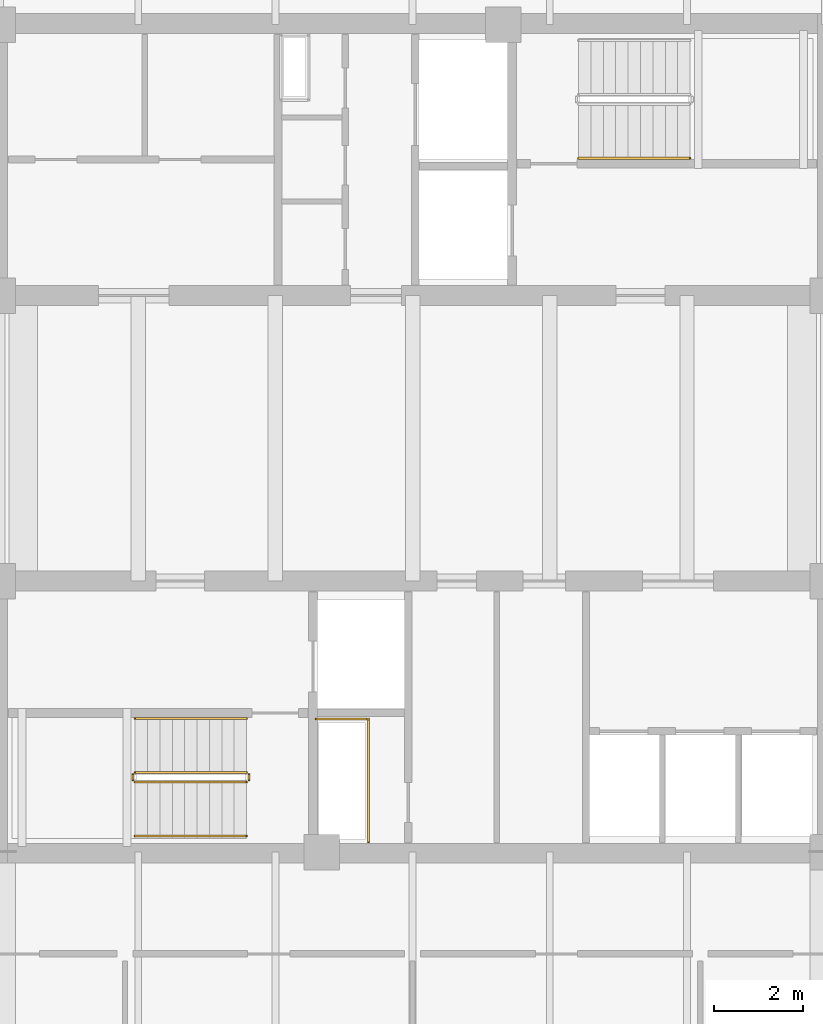
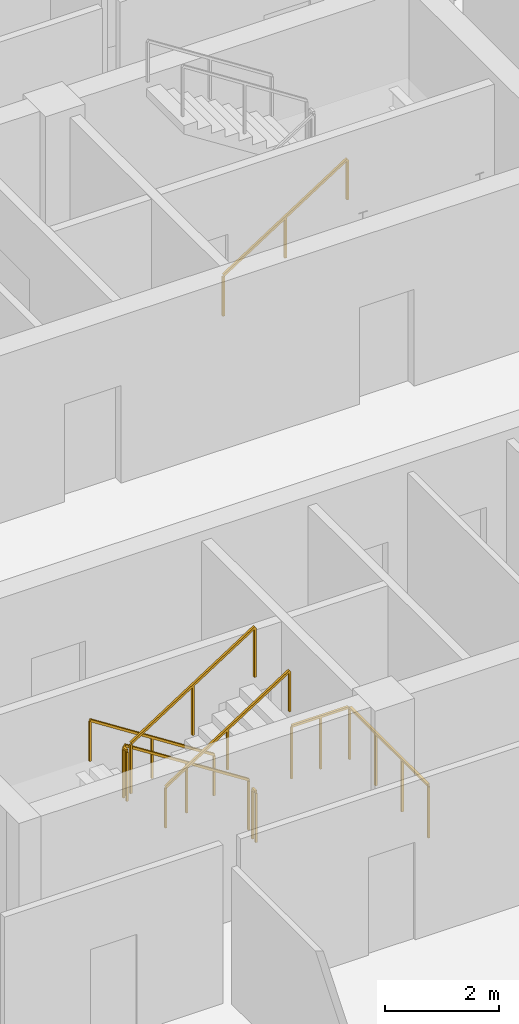
# One storey, part 17 of 20: 8 railings.
"""IFC4 building model written with IfcOpenShell, lengths in metres."""

from ifc_helpers import new_model, si_unit, direction, frame, origin, origin_2d, place, context, subcontext, project, spatial, rectangle, extrude, material, type_object, element, save


model = new_model("IFC4")

# Units and contexts
model_context = context("Model", 3, precision=1e-05, world=origin(), true_north=direction((0.0, 1.0)))
body_context = subcontext(model_context, "Body", "Model", "MODEL_VIEW")
ifc_project = project(units=[si_unit("LENGTHUNIT", "METRE"), si_unit("AREAUNIT", "SQUARE_METRE"), si_unit("VOLUMEUNIT", "CUBIC_METRE"), si_unit("PLANEANGLEUNIT", "RADIAN"), si_unit("MASSUNIT", "GRAM", prefix="KILO")], contexts=[model_context])

# Site, building, storey
site_placement = place(None, origin())
site = spatial("IfcSite", under=ifc_project, at=site_placement, CompositionType="ELEMENT")
building_placement = place(site_placement, origin())
building = spatial("IfcBuilding", under=site, at=building_placement, Name="Qhalaya Broadcast Tower", CompositionType="ELEMENT")
storey_placement = place(building_placement, frame((0.0, 0.0, 273.35009765625)))
storey = spatial("IfcBuildingStorey", under=building, at=storey_placement, Name="L81", CompositionType="ELEMENT", Elevation=273.35009765625)

# Railings
ifc_material = material(Name="Powder-Coated Galvanised Steel", Category="steel")
railing_type_1 = type_object("IfcRailingType", Name="Stair Wall Handrail 900", PredefinedType="HANDRAIL", material=ifc_material)
railing_1_placement = place(storey_placement, frame((3.75, 6.929931640625, 0.179931640625)))
element("IfcRailing", 1, at=railing_1_placement, inside=storey, type_object=railing_type_1, Name="L81 ST-1 Stair Handrail 1", PredefinedType="HANDRAIL", context=body_context, shape_type="SweptSolid", body=[
    extrude(rectangle(XDim=0.048095703125, YDim=0.048095703125, at=origin_2d()), frame((0.0, 0.0, 0.8759765625), z_axis=(0.841199657755, 0.0, 0.540724639528), x_axis=(0.0, 1.0, 0.0)), (0.0, 0.0, 1.0), 2.995849609375),
    extrude(rectangle(XDim=0.0419921875, YDim=0.0419921875, at=origin_2d()), origin(), (0.0, 0.0, 1.0), 0.849853515625),
    extrude(rectangle(XDim=0.0419921875, YDim=0.0419921875, at=origin_2d()), frame((1.260009765625, 0.0, 0.81005859375)), (0.0, 0.0, 1.0), 0.849853515625),
    extrude(rectangle(XDim=0.0419921875, YDim=0.0419921875, at=origin_2d()), frame((2.52001953125, 0.0, 1.619873046875)), (0.0, 0.0, 1.0), 0.849853515625),
])
railing_2_placement = place(storey_placement, frame((-3.75, -5.72998046875, 0.179931640625)))
element("IfcRailing", 2, at=railing_2_placement, inside=storey, type_object=railing_type_1, Name="L81 ST-2 Stair Handrail 1", PredefinedType="HANDRAIL", context=body_context, shape_type="SweptSolid", body=[
    extrude(rectangle(XDim=0.048095703125, YDim=0.048095703125, at=origin_2d()), frame((0.0, 0.0, 0.8759765625), z_axis=(-0.841199657755, 0.0, 0.540724639528), x_axis=(0.0, -1.0, 0.0)), (0.0, 0.0, 1.0), 2.995849609375),
    extrude(rectangle(XDim=0.0419921875, YDim=0.0419921875, at=origin_2d()), origin(), (0.0, 0.0, 1.0), 0.849853515625),
    extrude(rectangle(XDim=0.0419921875, YDim=0.0419921875, at=origin_2d()), frame((-1.260009765625, 0.0, 0.81005859375)), (0.0, 0.0, 1.0), 0.849853515625),
    extrude(rectangle(XDim=0.0419921875, YDim=0.0419921875, at=origin_2d()), frame((-2.52001953125, 0.0, 1.619873046875)), (0.0, 0.0, 1.0), 0.849853515625),
])
railing_3_placement = place(storey_placement, frame((-6.27001953125, -8.389892578125, 1.97998046875)))
element("IfcRailing", 3, at=railing_3_placement, inside=storey, type_object=railing_type_1, Name="L81 ST-2 Stair Handrail 2", PredefinedType="HANDRAIL", context=body_context, shape_type="SweptSolid", body=[
    extrude(rectangle(XDim=0.048095703125, YDim=0.048095703125, at=origin_2d()), frame((0.0, 0.0, 0.8759765625), z_axis=(0.841199657755, 0.0, 0.540724639528), x_axis=(0.0, 1.0, 0.0)), (0.0, 0.0, 1.0), 2.995849609375),
    extrude(rectangle(XDim=0.0419921875, YDim=0.0419921875, at=origin_2d()), origin(), (0.0, 0.0, 1.0), 0.849853515625),
    extrude(rectangle(XDim=0.0419921875, YDim=0.0419921875, at=origin_2d()), frame((1.260009765625, 0.0, 0.81005859375)), (0.0, 0.0, 1.0), 0.849853515625),
    extrude(rectangle(XDim=0.0419921875, YDim=0.0419921875, at=origin_2d()), frame((2.52001953125, 0.0, 1.619873046875)), (0.0, 0.0, 1.0), 0.849853515625),
])
railing_type_2 = type_object("IfcRailingType", Name="Stair Well & Landing Guardrail 1100", PredefinedType="GUARDRAIL", material=ifc_material)
railing_4_placement = place(storey_placement, frame((-1.0, -8.52001953125, 0.0)))
element("IfcRailing", 4, at=railing_4_placement, inside=storey, type_object=railing_type_2, Name="L81 Service Riser Opening Safety Guard SRSR", PredefinedType="GUARDRAIL", context=body_context, shape_type="SweptSolid", body=[
    extrude(rectangle(XDim=0.048095703125, YDim=0.048095703125, at=origin_2d()), frame((0.0, 0.0, 1.1259765625), z_axis=(0.0, 1.0, 0.0), x_axis=(-1.0, 0.0, 0.0)), (0.0, 0.0, 1.0), 2.751220703125),
    extrude(rectangle(XDim=0.048095703125, YDim=0.048095703125, at=origin_2d()), frame((-0.02880859375, 2.780029296875, 1.1259765625), z_axis=(-1.0, 0.0, 0.0), x_axis=(0.0, -1.0, 0.0)), (0.0, 0.0, 1.0), 1.151123046875),
    extrude(rectangle(XDim=0.0419921875, YDim=0.0419921875, at=origin_2d()), origin(), (0.0, 0.0, 1.0), 1.099853515625),
    extrude(rectangle(XDim=0.0419921875, YDim=0.0419921875, at=origin_2d()), frame((0.0, 0.9267578125, 0.0)), (0.0, 0.0, 1.0), 1.099853515625),
    extrude(rectangle(XDim=0.0419921875, YDim=0.0419921875, at=origin_2d()), frame((0.0, 1.853271484375, 0.0)), (0.0, 0.0, 1.0), 1.099853515625),
    extrude(rectangle(XDim=0.0419921875, YDim=0.0419921875, at=origin_2d()), frame((0.0, 2.780029296875, 0.0)), (0.0, 0.0, 1.0), 1.099853515625),
    extrude(rectangle(XDim=0.0419921875, YDim=0.0419921875, at=origin_2d()), frame((-0.58984375, 2.780029296875, 0.0)), (0.0, 0.0, 1.0), 1.099853515625),
    extrude(rectangle(XDim=0.0419921875, YDim=0.0419921875, at=origin_2d()), frame((-1.179931640625, 2.780029296875, 0.0)), (0.0, 0.0, 1.0), 1.099853515625),
])
railing_5_placement = place(storey_placement, frame((-3.75, -6.949951171875, 0.179931640625)))
element("IfcRailing", 5, at=railing_5_placement, inside=storey, type_object=railing_type_2, Name="L81 ST-2 Stair Guard 1", PredefinedType="GUARDRAIL", context=body_context, shape_type="SweptSolid", body=[
    extrude(rectangle(XDim=0.048095703125, YDim=0.048095703125, at=origin_2d()), frame((0.0, 0.0, 1.076171875), z_axis=(-0.841199657755, 0.0, 0.540724639528), x_axis=(0.0, -1.0, 0.0)), (0.0, 0.0, 1.0), 2.995849609375),
    extrude(rectangle(XDim=0.0419921875, YDim=0.0419921875, at=origin_2d()), origin(), (0.0, 0.0, 1.0), 1.050048828125),
    extrude(rectangle(XDim=0.0419921875, YDim=0.0419921875, at=origin_2d()), frame((-1.260009765625, 0.0, 0.81005859375)), (0.0, 0.0, 1.0), 1.050048828125),
    extrude(rectangle(XDim=0.0419921875, YDim=0.0419921875, at=origin_2d()), frame((-2.52001953125, 0.0, 1.619873046875)), (0.0, 0.0, 1.0), 1.050048828125),
])
railing_6_placement = place(storey_placement, frame((-6.320068359375, -7.0, 1.7998046875)))
element("IfcRailing", 6, at=railing_6_placement, inside=storey, type_object=railing_type_2, Name="L81 ST-2 Stair Guard 2", PredefinedType="GUARDRAIL", context=body_context, shape_type="SweptSolid", body=[
    extrude(rectangle(XDim=0.048095703125, YDim=0.048095703125, at=origin_2d()), frame((0.0, 0.0, 1.076171875), z_axis=(0.0, -1.0, 0.0), x_axis=(1.0, 0.0, 0.0)), (0.0, 0.0, 1.0), 0.1201171875),
    extrude(rectangle(XDim=0.0419921875, YDim=0.0419921875, at=origin_2d()), origin(), (0.0, 0.0, 1.0), 1.050048828125),
    extrude(rectangle(XDim=0.0419921875, YDim=0.0419921875, at=origin_2d()), frame((0.0, -0.1201171875, 0.0)), (0.0, 0.0, 1.0), 1.050048828125),
])
railing_7_placement = place(storey_placement, frame((-6.27001953125, -7.169921875, 1.97998046875)))
element("IfcRailing", 7, at=railing_7_placement, inside=storey, type_object=railing_type_2, Name="L81 ST-2 Stair Guard 3", PredefinedType="GUARDRAIL", context=body_context, shape_type="SweptSolid", body=[
    extrude(rectangle(XDim=0.048095703125, YDim=0.048095703125, at=origin_2d()), frame((0.0, 0.0, 1.076171875), z_axis=(0.841199657755, 0.0, 0.540724639528), x_axis=(0.0, 1.0, 0.0)), (0.0, 0.0, 1.0), 2.995849609375),
    extrude(rectangle(XDim=0.0419921875, YDim=0.0419921875, at=origin_2d()), origin(), (0.0, 0.0, 1.0), 1.050048828125),
    extrude(rectangle(XDim=0.0419921875, YDim=0.0419921875, at=origin_2d()), frame((1.260009765625, 0.0, 0.81005859375)), (0.0, 0.0, 1.0), 1.050048828125),
    extrude(rectangle(XDim=0.0419921875, YDim=0.0419921875, at=origin_2d()), frame((2.52001953125, 0.0, 1.619873046875)), (0.0, 0.0, 1.0), 1.050048828125),
])
railing_8_placement = place(storey_placement, frame((-3.699951171875, -7.0, 0.0)))
element("IfcRailing", 8, at=railing_8_placement, inside=storey, type_object=railing_type_2, Name="L81 ST-2 Stair Guard 4", PredefinedType="GUARDRAIL", context=body_context, shape_type="SweptSolid", body=[
    extrude(rectangle(XDim=0.048095703125, YDim=0.048095703125, at=origin_2d()), frame((0.0, 0.0, 1.076171875), z_axis=(0.0, -1.0, 0.0), x_axis=(1.0, 0.0, 0.0)), (0.0, 0.0, 1.0), 0.1201171875),
    extrude(rectangle(XDim=0.0419921875, YDim=0.0419921875, at=origin_2d()), origin(), (0.0, 0.0, 1.0), 1.050048828125),
    extrude(rectangle(XDim=0.0419921875, YDim=0.0419921875, at=origin_2d()), frame((0.0, -0.1201171875, 0.0)), (0.0, 0.0, 1.0), 1.050048828125),
])

save(model, "model.ifc")
